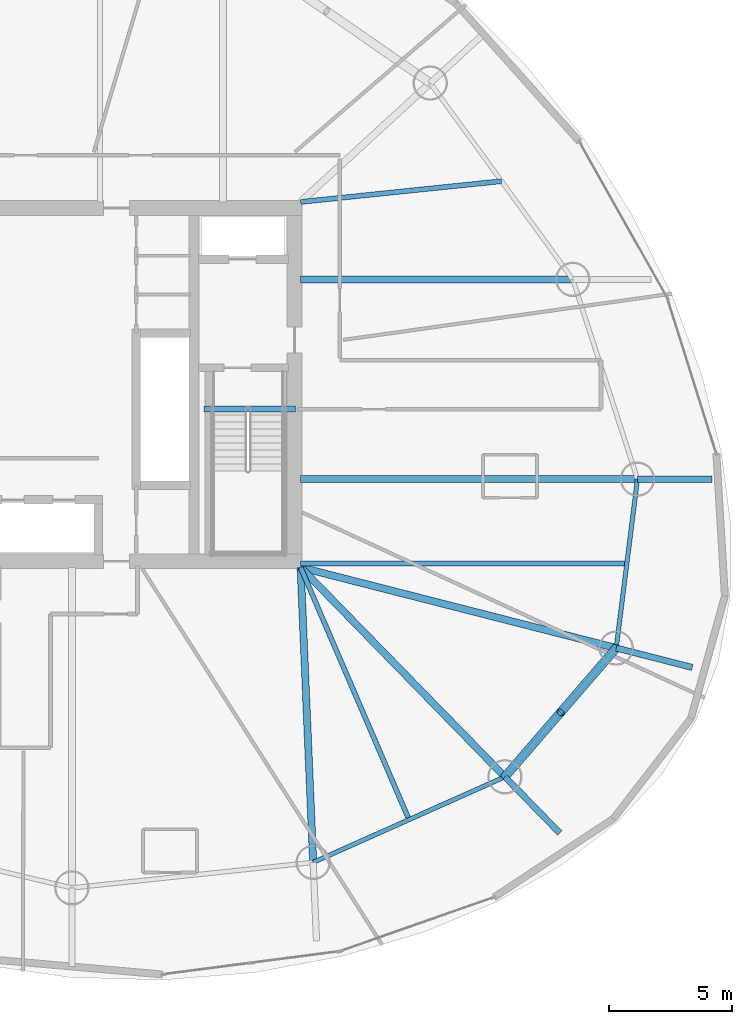
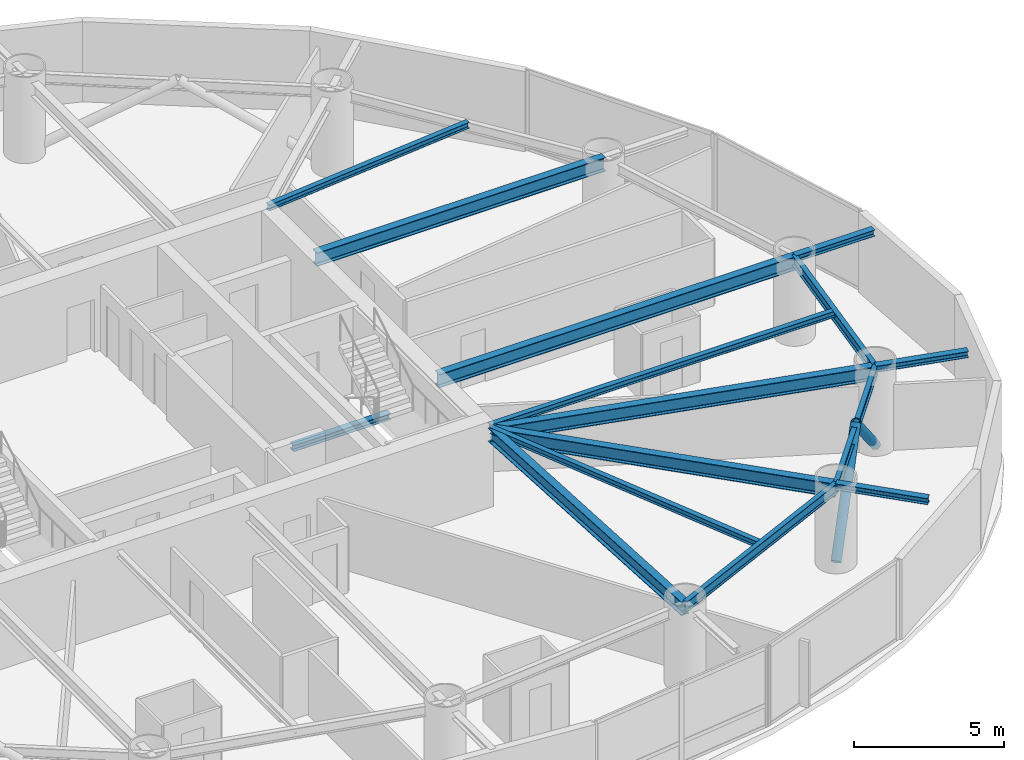
# One storey, part 9 of 22: 15 beams, 2 members.
"""IFC4 building model written with IfcOpenShell, lengths in metres."""

import ifcopenshell
import ifcopenshell.guid

model = None  # the IFC model being written
_history = None  # IfcOwnerHistory: only IFC2X3 demands one
_inside = {}  # id of a spatial element -> (the spatial element, [elements in it])
_under = {}  # id of a project, library or spatial element -> (it, [spatial elements below it])
_declared = {}  # id of a project -> (the project, [libraries it declares])
_typed = {}  # id of a type object -> (the type object, [elements of that type])
_made_of = {}  # id of a material, layer set ... -> (it, [elements and type objects made of it])


def new_model(schema):
    """Start an empty IFC model of exactly this schema.

    Asked for "IFC4X3", IfcOpenShell would pick the latest addendum, in which some entities
    have other attributes; the version numbers below select the first issue.
    IFC2X3 requires an IfcOwnerHistory on every rooted entity: one is made here for all.
    """
    global model, _history
    if schema == "IFC4X3":
        model = ifcopenshell.file(schema_version=(4, 3, 0, 0))
    else:
        model = ifcopenshell.file(schema=schema)
    _inside.clear()
    _under.clear()
    _declared.clear()
    _typed.clear()
    _made_of.clear()
    _history = None
    if model.schema == "IFC2X3":
        org = make("IfcOrganization", Name="unknown")
        user = make(
            "IfcPersonAndOrganization",
            ThePerson=make("IfcPerson", FamilyName="unknown"),
            TheOrganization=org,
        )
        app = make(
            "IfcApplication",
            ApplicationDeveloper=org,
            Version="unknown",
            ApplicationFullName="unknown",
            ApplicationIdentifier="unknown",
        )
        _history = make(
            "IfcOwnerHistory",
            OwningUser=user,
            OwningApplication=app,
            ChangeAction="ADDED",
            CreationDate=0,
        )
    return model


def make(cls, **values):
    """One entity of the class cls with the attributes given. An attribute that is None is left unset."""
    return model.create_entity(
        cls, **{name: value for name, value in values.items() if value is not None}
    )


def rooted(cls, **values):
    """An entity with a GlobalId (a new one), such as an element, a storey or a relation."""
    return make(cls, GlobalId=ifcopenshell.guid.new(), OwnerHistory=_history, **values)


def si_unit(unit_type, name, prefix=None):
    """IfcSIUnit, for example si_unit("LENGTHUNIT", "METRE", prefix="MILLI")."""
    return make("IfcSIUnit", UnitType=unit_type, Prefix=prefix, Name=name)


def assignment(units):
    """IfcUnitAssignment: the units of a project."""
    return None if units is None else make("IfcUnitAssignment", Units=units)


def point(xyz):
    """IfcCartesianPoint."""
    return None if xyz is None else make("IfcCartesianPoint", Coordinates=xyz)


def direction(xyz):
    """IfcDirection."""
    return None if xyz is None else make("IfcDirection", DirectionRatios=xyz)


def frame(location, z_axis=None, x_axis=None):
    """IfcAxis2Placement3D, a coordinate frame: its origin and axes. An axis left out is left unset."""
    return make(
        "IfcAxis2Placement3D",
        Location=point(location),
        Axis=direction(z_axis),
        RefDirection=direction(x_axis),
    )


def frame_2d(location, x_axis=None):
    """IfcAxis2Placement2D, a coordinate frame in the plane: its origin and x axis."""
    return make(
        "IfcAxis2Placement2D", Location=point(location), RefDirection=direction(x_axis)
    )


def origin():
    """The frame at (0, 0, 0) with its axes left unset."""
    return frame((0.0, 0.0, 0.0))


def origin_2d():
    """The frame at (0, 0) in the plane with its x axis left unset."""
    return frame_2d((0.0, 0.0))


def place(relative_to, where):
    """IfcLocalPlacement: puts the frame where relative to a parent placement (None: the world)."""
    return make(
        "IfcLocalPlacement", PlacementRelTo=relative_to, RelativePlacement=where
    )


def context(
    kind, dimensions, precision=None, world=None, true_north=None, identifier=None
):
    """IfcGeometricRepresentationContext, for example the 3D "Model" context."""
    return make(
        "IfcGeometricRepresentationContext",
        ContextIdentifier=identifier,
        ContextType=kind,
        CoordinateSpaceDimension=dimensions,
        Precision=precision,
        WorldCoordinateSystem=world,
        TrueNorth=true_north,
    )


def subcontext(parent, identifier, kind, view, scale=None):
    """IfcGeometricRepresentationSubContext, for example "Body" below "Model"."""
    return make(
        "IfcGeometricRepresentationSubContext",
        ContextIdentifier=identifier,
        ContextType=kind,
        ParentContext=parent,
        TargetScale=scale,
        TargetView=view,
    )


def project(units=None, contexts=None):
    """IfcProject with its units and contexts."""
    return rooted(
        "IfcProject",
        Name="project",
        RepresentationContexts=contexts,
        UnitsInContext=assignment(units),
    )


def spatial(cls, under=None, at=None, **own):
    """A site, building, storey or space (cls), placed at a placement, below another one or the project."""
    s = rooted(cls, ObjectPlacement=at, **own)
    if under is not None:
        _under.setdefault(under.id(), (under, []))[1].append(s)
    return s


def profile(cls, at=None, kind="AREA", **sizes):
    """A parametric profile (cls). Its sizes go by their IFC names, for example OverallWidth=200.0."""
    return make(cls, ProfileType=kind, Position=at, **sizes)


def hollow_circle(**sizes):
    """IfcCircleHollowProfileDef."""
    return profile("IfcCircleHollowProfileDef", **sizes)


def i_section(**sizes):
    """IfcIShapeProfileDef."""
    return profile("IfcIShapeProfileDef", **sizes)


def extrude(swept, where, along, depth):
    """IfcExtrudedAreaSolid: the profile swept, set in the frame where, extruded along a direction by depth."""
    return make(
        "IfcExtrudedAreaSolid",
        SweptArea=swept,
        Position=where,
        ExtrudedDirection=direction(along),
        Depth=depth,
    )


def shape(context_of_items, identifier, shape_type, items):
    """IfcShapeRepresentation: the items that make up one representation, for example the "Body"."""
    return make(
        "IfcShapeRepresentation",
        ContextOfItems=context_of_items,
        RepresentationIdentifier=identifier,
        RepresentationType=shape_type,
        Items=items,
    )


def material(Name=None, Category=None):
    """IfcMaterial."""
    return make("IfcMaterial", Name=Name, Category=Category)


def material_profile(
    of_material, cross_section, Name=None, Category=None, Priority=None
):
    """IfcMaterialProfile: a cross section and its material."""
    return make(
        "IfcMaterialProfile",
        Name=Name,
        Material=of_material,
        Profile=cross_section,
        Priority=Priority,
        Category=Category,
    )


def profile_set(profiles, Name=None, composite=None):
    """IfcMaterialProfileSet."""
    return make(
        "IfcMaterialProfileSet",
        Name=Name,
        MaterialProfiles=profiles,
        CompositeProfile=composite,
    )


def made_of(thing, what):
    """Note that an element or type object is made of a material, layer set ...; save() writes the relation."""
    if what is not None:
        _made_of.setdefault(what.id(), (what, []))[1].append(thing)
    return thing


def type_object(cls, material=None, **own):
    """A type object (cls), such as IfcWallType, which elements share."""
    return made_of(rooted(cls, **own), material)


def element(
    cls,
    number,
    at=None,
    inside=None,
    cuts=None,
    type_object=None,
    material=None,
    context=None,
    identifier="Body",
    shape_type=None,
    held_by="IfcProductDefinitionShape",
    body=None,
    shapes=None,
    **own,
):
    """One element of the class cls, such as IfcWall. Its Tag is "e" and its number.

    at: its placement. inside: the storey or other place that contains it. cuts: it is an
    opening in that element (IfcRelVoidsElement). A single representation is given by context,
    identifier, shape_type and body (its items); several are given by shapes. held_by: the class
    of the entity that holds the representations. save() writes the other relations.
    """
    e = rooted(cls, Tag="e%d" % number, ObjectPlacement=at, **own)
    if body is not None:
        shapes = [shape(context, identifier, shape_type, body)]
    if shapes is not None:
        e.Representation = make(held_by, Representations=shapes)
    if inside is not None:
        _inside.setdefault(inside.id(), (inside, []))[1].append(e)
    if cuts is not None:
        rooted(
            "IfcRelVoidsElement", RelatingBuildingElement=cuts, RelatedOpeningElement=e
        )
    if type_object is not None:
        _typed.setdefault(type_object.id(), (type_object, []))[1].append(e)
    return made_of(e, material)


def aggregate(whole, parts):
    """IfcRelAggregates: a whole, such as a stair, and the parts it consists of."""
    return rooted("IfcRelAggregates", RelatingObject=whole, RelatedObjects=parts)


def save(model, path):
    """Write the relations noted so far, then the file.

    IfcRelAggregates (storeys below a building ...), IfcRelContainedInSpatialStructure (elements
    in a storey), IfcRelDefinesByType, IfcRelAssociatesMaterial and IfcRelDeclares: one each for
    every whole, place, type object, material and project.
    """
    for whole, parts in _under.values():
        aggregate(whole, parts)
    for where, things in _inside.values():
        rooted(
            "IfcRelContainedInSpatialStructure",
            RelatedElements=things,
            RelatingStructure=where,
        )
    for kind, things in _typed.values():
        rooted("IfcRelDefinesByType", RelatedObjects=things, RelatingType=kind)
    for what, things in _made_of.values():
        rooted("IfcRelAssociatesMaterial", RelatedObjects=things, RelatingMaterial=what)
    for by, libraries in _declared.values():
        rooted("IfcRelDeclares", RelatingContext=by, RelatedDefinitions=libraries)
    model.write(path)


model = new_model("IFC4")

# Units and contexts
model_context = context("Model", 3, precision=1e-05, world=origin(), true_north=direction((0.0, 1.0)))
body_context = subcontext(model_context, "Body", "Model", "MODEL_VIEW")
ifc_project = project(units=[si_unit("LENGTHUNIT", "METRE"), si_unit("AREAUNIT", "SQUARE_METRE"), si_unit("VOLUMEUNIT", "CUBIC_METRE"), si_unit("PLANEANGLEUNIT", "RADIAN"), si_unit("MASSUNIT", "GRAM", prefix="KILO")], contexts=[model_context])

# Site, building, storey
site_placement = place(None, origin())
site = spatial("IfcSite", under=ifc_project, at=site_placement, CompositionType="ELEMENT")
building_placement = place(site_placement, origin())
building = spatial("IfcBuilding", under=site, at=building_placement, Name="Bramvorn Convention Spire", CompositionType="ELEMENT")
storey_placement = place(building_placement, frame((0.0, 0.0, 137.800048828125)))
storey = spatial("IfcBuildingStorey", under=building, at=storey_placement, Name="L34", CompositionType="ELEMENT", Elevation=137.800048828125)

# Beams
ifc_material = material(Name="Steel CSA G40.21 Grade 350 (350W)", Category="steel")
ifc_material_profile_1 = material_profile(ifc_material, i_section(OverallWidth=0.201904296875, OverallDepth=0.2470703125, WebThickness=0.00732421875, FlangeThickness=0.010986328125, FilletRadius=0.011962890625, at=origin_2d()))
ifc_profile_set_1 = profile_set([ifc_material_profile_1], Name="Steel CSA G40.21 Grade 350 (350W) - W250X49")
beam_type_1 = type_object("IfcBeamType", Name="BM-W250X49", PredefinedType="JOIST", material=ifc_profile_set_1)
beam_1_placement = place(storey_placement, frame((49.25, 18.705078125, 3.136474609375), z_axis=(1.0, 0.0, 0.0), x_axis=(0.0, 1.0, 0.0)))
element("IfcBeam", 1, at=beam_1_placement, inside=storey, type_object=beam_type_1, Name="L34 composite floor joist 01", PredefinedType="JOIST", context=body_context, shape_type="SweptSolid", body=[
    extrude(i_section(OverallWidth=0.201904296875, OverallDepth=0.2470703125, WebThickness=0.00732421875, FlangeThickness=0.010986328125, FilletRadius=0.011962890625, at=origin_2d()), origin(), (0.0, 0.0, 1.0), 13.30078125),
])
beam_2_placement = place(storey_placement, frame((49.25, 33.449951171875, 3.136474609375), z_axis=(0.994705076194, 0.102770673804, 0.0), x_axis=(-0.102770673804, 0.994705076194, 0.0)))
element("IfcBeam", 2, at=beam_2_placement, inside=storey, type_object=beam_type_1, Name="L34 composite floor joist 03", PredefinedType="JOIST", context=body_context, shape_type="SweptSolid", body=[
    extrude(i_section(OverallWidth=0.201904296875, OverallDepth=0.2470703125, WebThickness=0.00732421875, FlangeThickness=0.010986328125, FilletRadius=0.011962890625, at=origin_2d()), origin(), (0.0, 0.0, 1.0), 8.23388671875),
])
beam_3_placement = place(storey_placement, frame((49.25, 18.550048828125, 3.136474609375), z_axis=(0.394937739893, -0.918707886985, 0.0), x_axis=(0.918707886985, 0.394937739893, 0.0)))
element("IfcBeam", 3, at=beam_3_placement, inside=storey, type_object=beam_type_1, Name="L34 composite floor joist 15", PredefinedType="JOIST", context=body_context, shape_type="SweptSolid", body=[
    extrude(i_section(OverallWidth=0.201904296875, OverallDepth=0.2470703125, WebThickness=0.00732421875, FlangeThickness=0.010986328125, FilletRadius=0.011962890625, at=origin_2d()), origin(), (0.0, 0.0, 1.0), 11.19384765625),
])
ifc_material_profile_2 = material_profile(ifc_material, i_section(OverallWidth=0.25390625, OverallDepth=0.2529296875, WebThickness=0.008544921875, FlangeThickness=0.01416015625, FilletRadius=0.011962890625, at=origin_2d()))
ifc_profile_set_2 = profile_set([ifc_material_profile_2], Name="Steel CSA G40.21 Grade 350 (350W) - W250X73")
beam_type_2 = type_object("IfcBeamType", Name="BM-W250X73", PredefinedType="BEAM", material=ifc_profile_set_2)
beam_4_placement = place(storey_placement, frame((62.11767578125, 15.26220703125, 3.133544921875), z_axis=(0.968868276357, -0.24757678217, 0.0), x_axis=(0.24757678217, 0.968868276357, 0.0)))
element("IfcBeam", 4, at=beam_4_placement, inside=storey, type_object=beam_type_2, Name="L34 slab-edge cantilever tip beam MC01", PredefinedType="BEAM", context=body_context, shape_type="SweptSolid", body=[
    extrude(i_section(OverallWidth=0.25390625, OverallDepth=0.2529296875, WebThickness=0.008544921875, FlangeThickness=0.01416015625, FilletRadius=0.011962890625, at=origin_2d()), origin(), (0.0, 0.0, 1.0), 3.199951171875),
])
beam_5_placement = place(storey_placement, frame((62.983642578125, 22.148193359375, 3.133544921875), z_axis=(1.0, 0.0, 0.0), x_axis=(0.0, 1.0, 0.0)))
element("IfcBeam", 5, at=beam_5_placement, inside=storey, type_object=beam_type_2, Name="L34 slab-edge cantilever tip beam MC02", PredefinedType="BEAM", context=body_context, shape_type="SweptSolid", body=[
    extrude(i_section(OverallWidth=0.25390625, OverallDepth=0.2529296875, WebThickness=0.008544921875, FlangeThickness=0.01416015625, FilletRadius=0.011962890625, at=origin_2d()), origin(), (0.0, 0.0, 1.0), 3.036865234375),
])
beam_6_placement = place(storey_placement, frame((57.579833984375, 10.0107421875, 3.133544921875), z_axis=(0.69827808588, -0.715826595468, 0.0), x_axis=(0.715826595468, 0.69827808588, 0.0)))
element("IfcBeam", 6, at=beam_6_placement, inside=storey, type_object=beam_type_2, Name="L34 slab-edge cantilever tip beam MC16", PredefinedType="BEAM", context=body_context, shape_type="SweptSolid", body=[
    extrude(i_section(OverallWidth=0.25390625, OverallDepth=0.2529296875, WebThickness=0.008544921875, FlangeThickness=0.01416015625, FilletRadius=0.011962890625, at=origin_2d()), origin(), (0.0, 0.0, 1.0), 3.199951171875),
])
beam_7_placement = place(storey_placement, frame((45.31005859375, 25.010009765625, -0.12646484375), z_axis=(1.0, 0.0, 0.0), x_axis=(0.0, 1.0, 0.0)))
element("IfcBeam", 7, at=beam_7_placement, inside=storey, type_object=beam_type_2, Name="L34 ST2 stair arrival header beam", PredefinedType="BEAM", context=body_context, shape_type="SweptSolid", body=[
    extrude(i_section(OverallWidth=0.25390625, OverallDepth=0.2529296875, WebThickness=0.008544921875, FlangeThickness=0.01416015625, FilletRadius=0.011962890625, at=origin_2d()), origin(), (0.0, 0.0, 1.0), 3.739990234375),
])
ifc_material_profile_3 = material_profile(ifc_material, i_section(OverallWidth=0.180908203125, OverallDepth=0.4169921875, WebThickness=0.010986328125, FlangeThickness=0.018310546875, FilletRadius=0.01611328125, at=origin_2d()))
ifc_profile_set_3 = profile_set([ifc_material_profile_3], Name="Steel CSA G40.21 Grade 350 (350W) - W410X85")
beam_type_3 = type_object("IfcBeamType", Name="BM-W410X85", PredefinedType="JOIST", material=ifc_profile_set_3)
beam_8_placement = place(storey_placement, frame((62.11767578125, 15.26220703125, 3.051513671875), z_axis=(0.124775053879, 0.992185056292, 0.0), x_axis=(-0.992185056292, 0.124775053879, 0.0)))
element("IfcBeam", 8, at=beam_8_placement, inside=storey, type_object=beam_type_3, Name="L34 mega-column ring beam 01", PredefinedType="JOIST", context=body_context, shape_type="SweptSolid", body=[
    extrude(i_section(OverallWidth=0.180908203125, OverallDepth=0.4169921875, WebThickness=0.010986328125, FlangeThickness=0.018310546875, FilletRadius=0.01611328125, at=origin_2d()), origin(), (0.0, 0.0, 1.0), 6.940185546875),
])
beam_9_placement = place(storey_placement, frame((49.76171875, 6.521240234375, 3.051513671875), z_axis=(0.913169534701, 0.407579931908, 0.0), x_axis=(-0.407579931908, 0.913169534701, 0.0)))
element("IfcBeam", 9, at=beam_9_placement, inside=storey, type_object=beam_type_3, Name="L34 mega-column ring beam 15", PredefinedType="JOIST", context=body_context, shape_type="SweptSolid", body=[
    extrude(i_section(OverallWidth=0.180908203125, OverallDepth=0.4169921875, WebThickness=0.010986328125, FlangeThickness=0.018310546875, FilletRadius=0.01611328125, at=origin_2d()), origin(), (0.0, 0.0, 1.0), 8.5615234375),
])
beam_10_placement = place(storey_placement, frame((57.579833984375, 10.0107421875, 3.051513671875), z_axis=(0.653824993824, 0.756645807132, 0.0), x_axis=(-0.756645807132, 0.653824993824, 0.0)))
element("IfcBeam", 10, at=beam_10_placement, inside=storey, type_object=beam_type_3, Name="L34 mega-column ring beam 16", PredefinedType="JOIST", context=body_context, shape_type="SweptSolid", body=[
    extrude(i_section(OverallWidth=0.180908203125, OverallDepth=0.4169921875, WebThickness=0.010986328125, FlangeThickness=0.018310546875, FilletRadius=0.01611328125, at=origin_2d()), origin(), (0.0, 0.0, 1.0), 6.9404296875),
])
ifc_material_profile_4 = material_profile(ifc_material, i_section(OverallWidth=0.2919921875, OverallDepth=0.551025390625, WebThickness=0.01513671875, FlangeThickness=0.0244140625, FilletRadius=0.01904296875, at=origin_2d()))
ifc_profile_set_4 = profile_set([ifc_material_profile_4], Name="Steel CSA G40.21 Grade 350 (350W) - W530X182")
beam_type_4 = type_object("IfcBeamType", Name="BM-W530X182", PredefinedType="BEAM", material=ifc_profile_set_4)
beam_11_placement = place(storey_placement, frame((49.25, 18.550048828125, 2.984375), z_axis=(0.968872976577, -0.247558387576, 0.0), x_axis=(0.247558387576, 0.968872976577, 0.0)))
element("IfcBeam", 11, at=beam_11_placement, inside=storey, type_object=beam_type_4, Name="L34 radial floor girder MC01", PredefinedType="BEAM", context=body_context, shape_type="SweptSolid", body=[
    extrude(i_section(OverallWidth=0.2919921875, OverallDepth=0.551025390625, WebThickness=0.01513671875, FlangeThickness=0.0244140625, FilletRadius=0.01904296875, at=origin_2d()), origin(), (0.0, 0.0, 1.0), 13.281005859375),
])
beam_12_placement = place(storey_placement, frame((49.25, 22.148193359375, 2.984375), z_axis=(1.0, 0.0, 0.0), x_axis=(0.0, 1.0, 0.0)))
element("IfcBeam", 12, at=beam_12_placement, inside=storey, type_object=beam_type_4, Name="L34 radial floor girder MC02", PredefinedType="BEAM", context=body_context, shape_type="SweptSolid", body=[
    extrude(i_section(OverallWidth=0.2919921875, OverallDepth=0.551025390625, WebThickness=0.01513671875, FlangeThickness=0.0244140625, FilletRadius=0.01904296875, at=origin_2d()), origin(), (0.0, 0.0, 1.0), 13.733642578125),
])
beam_13_placement = place(storey_placement, frame((49.25, 30.293212890625, 2.984375), z_axis=(1.0, 0.0, 0.0), x_axis=(0.0, 1.0, 0.0)))
element("IfcBeam", 13, at=beam_13_placement, inside=storey, type_object=beam_type_4, Name="L34 radial floor girder MC03", PredefinedType="BEAM", context=body_context, shape_type="SweptSolid", body=[
    extrude(i_section(OverallWidth=0.2919921875, OverallDepth=0.551025390625, WebThickness=0.01513671875, FlangeThickness=0.0244140625, FilletRadius=0.01904296875, at=origin_2d()), origin(), (0.0, 0.0, 1.0), 11.095703125),
])
beam_14_placement = place(storey_placement, frame((49.25, 18.550048828125, 2.984375), z_axis=(0.042502657955, -0.999096353745, 0.0), x_axis=(0.999096353745, 0.042502657955, 0.0)))
element("IfcBeam", 14, at=beam_14_placement, inside=storey, type_object=beam_type_4, Name="L34 radial floor girder MC15", PredefinedType="BEAM", context=body_context, shape_type="SweptSolid", body=[
    extrude(i_section(OverallWidth=0.2919921875, OverallDepth=0.551025390625, WebThickness=0.01513671875, FlangeThickness=0.0244140625, FilletRadius=0.01904296875, at=origin_2d()), origin(), (0.0, 0.0, 1.0), 12.039794921875),
])
beam_15_placement = place(storey_placement, frame((49.25, 18.550048828125, 2.984375), z_axis=(0.698272445638, -0.715832097397, 0.0), x_axis=(0.715832097397, 0.698272445638, 0.0)))
element("IfcBeam", 15, at=beam_15_placement, inside=storey, type_object=beam_type_4, Name="L34 radial floor girder MC16", PredefinedType="BEAM", context=body_context, shape_type="SweptSolid", body=[
    extrude(i_section(OverallWidth=0.2919921875, OverallDepth=0.551025390625, WebThickness=0.01513671875, FlangeThickness=0.0244140625, FilletRadius=0.01904296875, at=origin_2d()), origin(), (0.0, 0.0, 1.0), 11.92919921875),
])

# Members
ifc_material_profile_5 = material_profile(ifc_material, hollow_circle(Radius=0.177734375, WallThickness=0.015869140625, at=origin_2d()))
ifc_profile_set_5 = profile_set([ifc_material_profile_5], Name="Steel CSA G40.21 Grade 350 (350W) - CHS356X16")
member_type = type_object("IfcMemberType", Name="MBR-CHS356X16", PredefinedType="BRACE", material=ifc_profile_set_5)
member_1_placement = place(storey_placement, frame((57.579833984375, 10.0107421875, 0.0), z_axis=(0.476512423349, 0.551478652009, 0.684694973526), x_axis=(-0.756663209553, 0.653804854149, 0.0)))
element("IfcMember", 16, at=member_1_placement, inside=storey, type_object=member_type, Name="L34 perimeter Gothic lancet brace 16A", PredefinedType="BRACE", context=body_context, shape_type="SweptSolid", body=[
    extrude(hollow_circle(Radius=0.177734375, WallThickness=0.015869140625, at=origin_2d()), origin(), (0.0, 0.0, 1.0), 4.76123046875),
])
member_2_placement = place(storey_placement, frame((62.11767578125, 15.26220703125, 0.0), z_axis=(-0.476552055337, -0.551465177012, 0.684678243481), x_axis=(0.756628404976, -0.65384513211, 0.0)))
element("IfcMember", 17, at=member_2_placement, inside=storey, type_object=member_type, Name="L34 perimeter Gothic lancet brace 16B", PredefinedType="BRACE", context=body_context, shape_type="SweptSolid", body=[
    extrude(hollow_circle(Radius=0.177734375, WallThickness=0.015869140625, at=origin_2d()), origin(), (0.0, 0.0, 1.0), 4.761474609375),
])

save(model, "model.ifc")
